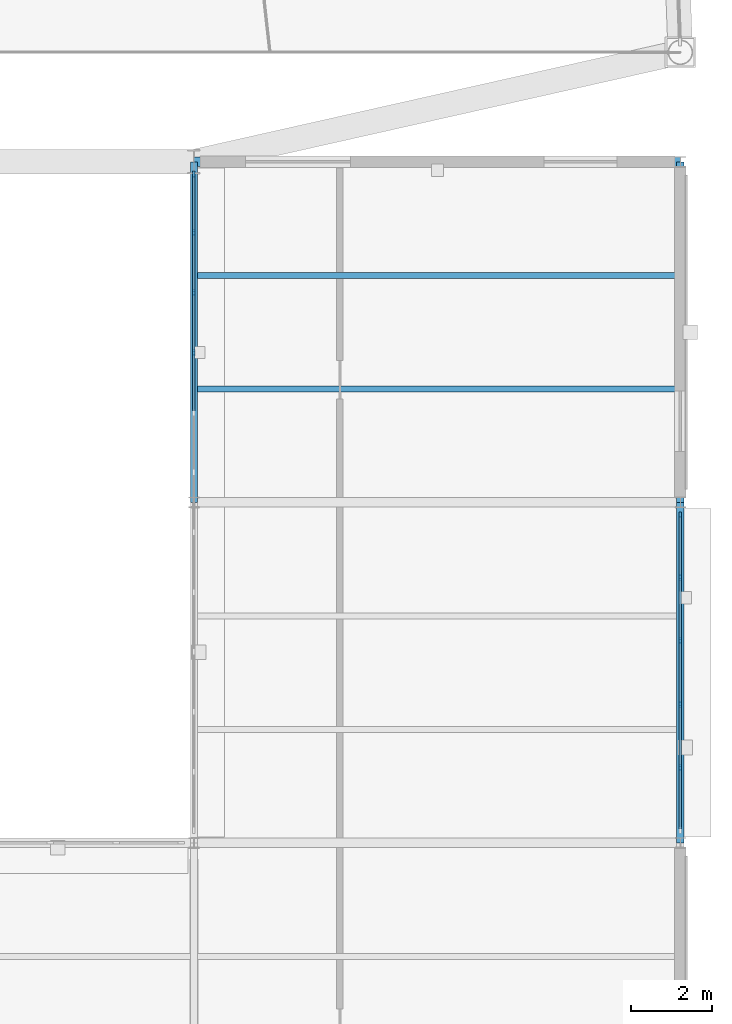
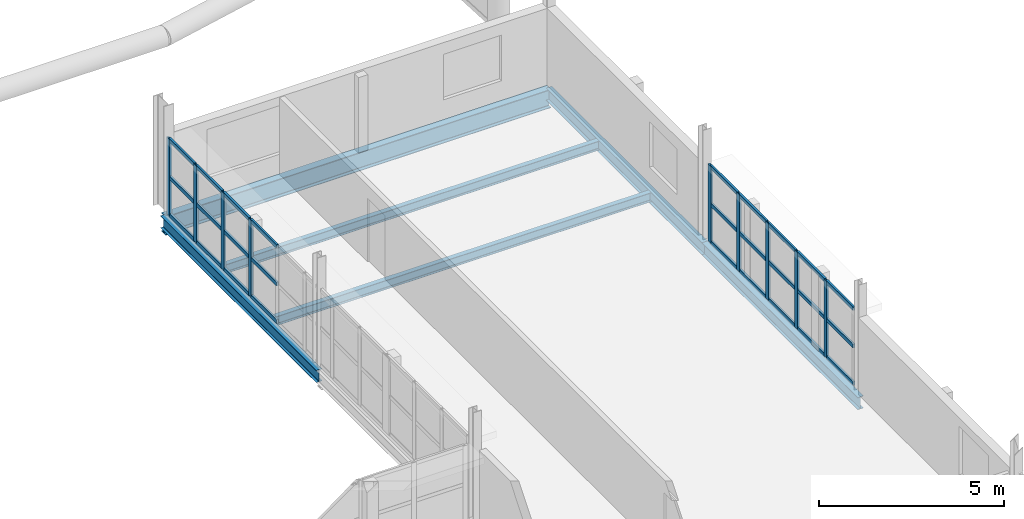
# One storey, part 54 of 101: 36 members, 6 beams, 2 elements without a shape of their own.
"""IFC4 building model written with IfcOpenShell, lengths in metres."""

from ifc_helpers import new_model, si_unit, direction, frame, origin, origin_2d, place, context, subcontext, project, spatial, rectangle, i_section, extrude, material, layer, layer_set, material_profile, profile_set, type_object, element, aggregate, save


model = new_model("IFC4")

# Units and contexts
model_context = context("Model", 3, precision=1e-05, world=origin(), true_north=direction((0.0, 1.0)))
body_context = subcontext(model_context, "Body", "Model", "MODEL_VIEW")
ifc_project = project(units=[si_unit("LENGTHUNIT", "METRE"), si_unit("AREAUNIT", "SQUARE_METRE"), si_unit("VOLUMEUNIT", "CUBIC_METRE"), si_unit("PLANEANGLEUNIT", "RADIAN"), si_unit("MASSUNIT", "GRAM", prefix="KILO"), si_unit("THERMODYNAMICTEMPERATUREUNIT", "KELVIN"), si_unit("POWERUNIT", "WATT")], contexts=[model_context])

# Site, building, storey
site_placement = place(None, origin())
site = spatial("IfcSite", under=ifc_project, at=site_placement, CompositionType="ELEMENT")
building_placement = place(site_placement, origin())
building = spatial("IfcBuilding", under=site, at=building_placement, Name="Tembeka Court Mobility Hub", CompositionType="ELEMENT")
storey_placement = place(building_placement, frame((0.0, 0.0, 5.39990234375)))
storey = spatial("IfcBuildingStorey", under=building, at=storey_placement, Name="L01", CompositionType="ELEMENT", Elevation=5.39990234375)

# Beams
ifc_material_1 = material(Name="Steel S355", Category="steel")
ifc_material_profile_1 = material_profile(ifc_material_1, i_section(OverallWidth=0.177978515625, OverallDepth=0.406005859375, WebThickness=0.0078125, FlangeThickness=0.0126953125, FilletRadius=0.01025390625, at=origin_2d()), Name="UKB 406x178x60")
ifc_profile_set_1 = profile_set([ifc_material_profile_1], Name="Steel S355")
beam_type_1 = type_object("IfcBeamType", Name="BM-B02", PredefinedType="BEAM", material=ifc_profile_set_1)
beam_1_placement = place(storey_placement, frame((164.39990234375, 55.199951171875, -0.392822265625), z_axis=(0.0, 1.0, 0.0), x_axis=(-1.0, 0.0, 0.0)))
element("IfcBeam", 1, at=beam_1_placement, inside=storey, type_object=beam_type_1, Name="Beam B02 (BM-L01-Y0904)", PredefinedType="BEAM", context=body_context, shape_type="SweptSolid", body=[
    extrude(i_section(OverallWidth=0.177978515625, OverallDepth=0.406005859375, WebThickness=0.0078125, FlangeThickness=0.0126953125, FilletRadius=0.01025390625, at=origin_2d()), origin(), (0.0, 0.0, 1.0), 8.400146484375),
])
beam_2_placement = place(storey_placement, frame((176.39990234375, 46.800048828125, -0.392822265625), z_axis=(0.0, 1.0, 0.0), x_axis=(-1.0, 0.0, 0.0)))
element("IfcBeam", 2, at=beam_2_placement, inside=storey, type_object=beam_type_1, Name="Beam B02 (BM-L01-Y0909)", PredefinedType="BEAM", context=body_context, shape_type="SweptSolid", body=[
    extrude(i_section(OverallWidth=0.177978515625, OverallDepth=0.406005859375, WebThickness=0.0078125, FlangeThickness=0.0126953125, FilletRadius=0.01025390625, at=origin_2d()), origin(), (0.0, 0.0, 1.0), 8.39990234375),
])
beam_3_placement = place(storey_placement, frame((176.39990234375, 55.199951171875, -0.392822265625), z_axis=(0.0, 1.0, 0.0), x_axis=(-1.0, 0.0, 0.0)))
element("IfcBeam", 3, at=beam_3_placement, inside=storey, type_object=beam_type_1, Name="Beam B02 (BM-L01-Y0910)", PredefinedType="BEAM", context=body_context, shape_type="SweptSolid", body=[
    extrude(i_section(OverallWidth=0.177978515625, OverallDepth=0.406005859375, WebThickness=0.0078125, FlangeThickness=0.0126953125, FilletRadius=0.01025390625, at=origin_2d()), origin(), (0.0, 0.0, 1.0), 8.400146484375),
])
ifc_material_profile_2 = material_profile(ifc_material_1, i_section(OverallWidth=0.22900390625, OverallDepth=0.612060546875, WebThickness=0.011962890625, FlangeThickness=0.01953125, FilletRadius=0.0126953125, at=origin_2d()), Name="UKB 610x229x125")
ifc_profile_set_2 = profile_set([ifc_material_profile_2], Name="Steel S355")
beam_type_2 = type_object("IfcBeamType", Name="BM-G02", PredefinedType="USERDEFINED", material=ifc_profile_set_2)
beam_4_placement = place(storey_placement, frame((164.39990234375, 63.60009765625, -0.495849609375), z_axis=(1.0, 0.0, 0.0), x_axis=(0.0, 1.0, 0.0)))
element("IfcBeam", 4, at=beam_4_placement, inside=storey, type_object=beam_type_2, Name="Beam G02 (BM-L01-X0704)", ObjectType="GIRDER", PredefinedType="USERDEFINED", context=body_context, shape_type="SweptSolid", body=[
    extrude(i_section(OverallWidth=0.22900390625, OverallDepth=0.612060546875, WebThickness=0.011962890625, FlangeThickness=0.01953125, FilletRadius=0.0126953125, at=origin_2d()), origin(), (0.0, 0.0, 1.0), 12.0),
])
ifc_material_profile_3 = material_profile(ifc_material_1, i_section(OverallWidth=0.14990234375, OverallDepth=0.300048828125, WebThickness=0.007080078125, FlangeThickness=0.0107421875, FilletRadius=0.014892578125, at=origin_2d()), Name="IPE 300")
ifc_profile_set_3 = profile_set([ifc_material_profile_3], Name="Steel S355")
beam_type_3 = type_object("IfcBeamType", Name="BM-J04", PredefinedType="JOIST", material=ifc_profile_set_3)
for number, where, z_axis, x_axis, name in (
    (5, (164.48388671875, 58.0, -0.33984375), (1.0, 0.0, 0.0), (0.0, 1.0, 0.0), "Beam J04 (JST-L01-1168)"),
    (6, (164.48388671875, 60.800048828125, -0.33984375), (1.0, 0.0, 0.0), (0.0, 1.0, 0.0), "Beam J04 (JST-L01-1169)"),
):
    element("IfcBeam", number, at=place(storey_placement, frame(where, z_axis=z_axis, x_axis=x_axis)), inside=storey, type_object=beam_type_3, Name=name, PredefinedType="JOIST", context=body_context, shape_type="SweptSolid", body=[
        extrude(i_section(OverallWidth=0.14990234375, OverallDepth=0.300048828125, WebThickness=0.007080078125, FlangeThickness=0.0107421875, FilletRadius=0.014892578125, at=origin_2d()), origin(), (0.0, 0.0, 1.0), 11.83203125),
    ])

# Curtain wall, members
ifc_material_2 = material(Name="Anodised aluminium 6063-T6", Category="aluminium")
ifc_layer_1 = layer(ifc_material_2, 0.159912109375)
ifc_layer_set_1 = layer_set([ifc_layer_1], Name="Anodised aluminium 6063-T6")
curtain_wall_type_1 = type_object("IfcCurtainWallType", Name="CW-SYS45", PredefinedType="USERDEFINED", material=ifc_layer_set_1)
curtain_wall_1_placement = place(storey_placement, origin())
curtain_wall_1 = element("IfcCurtainWall", 7, at=curtain_wall_1_placement, inside=storey, type_object=curtain_wall_type_1, Name="Unitised curtain wall CW45 (CW-L01-113)", ObjectType="UNITISED GLAZING", PredefinedType="USERDEFINED")
ifc_material_profile_4 = material_profile(ifc_material_2, rectangle(XDim=0.06494140625, YDim=0.159912109375, at=origin_2d()), Name="ALU-MUL 65x160")
ifc_profile_set_4 = profile_set([ifc_material_profile_4], Name="Anodised aluminium 6063-T6")
member_type_1 = type_object("IfcMemberType", Name="CW-MUL01", PredefinedType="MULLION", material=ifc_profile_set_4)
member_1_placement = place(storey_placement, frame((176.39990234375, 48.64794921875, 0.0), z_axis=(0.0, 0.0, 1.0), x_axis=(-1.0, 0.0, 0.0)))
member_1 = element("IfcMember", 8, at=member_1_placement, type_object=member_type_1, Name="CW45 mullion 2", PredefinedType="MULLION", context=body_context, shape_type="SweptSolid", body=[
    extrude(rectangle(XDim=0.06494140625, YDim=0.159912109375, at=origin_2d()), origin(), (0.0, 0.0, 1.0), 2.53515625),
])
member_2_placement = place(storey_placement, frame((176.39990234375, 50.216064453125, 0.0), z_axis=(0.0, 0.0, 1.0), x_axis=(-1.0, 0.0, 0.0)))
member_2 = element("IfcMember", 9, at=member_2_placement, type_object=member_type_1, Name="CW45 mullion 3", PredefinedType="MULLION", context=body_context, shape_type="SweptSolid", body=[
    extrude(rectangle(XDim=0.06494140625, YDim=0.159912109375, at=origin_2d()), origin(), (0.0, 0.0, 1.0), 2.53515625),
])
member_3_placement = place(storey_placement, frame((176.39990234375, 51.783935546875, 0.0), z_axis=(0.0, 0.0, 1.0), x_axis=(-1.0, 0.0, 0.0)))
member_3 = element("IfcMember", 10, at=member_3_placement, type_object=member_type_1, Name="CW45 mullion 4", PredefinedType="MULLION", context=body_context, shape_type="SweptSolid", body=[
    extrude(rectangle(XDim=0.06494140625, YDim=0.159912109375, at=origin_2d()), origin(), (0.0, 0.0, 1.0), 2.53515625),
])
member_4_placement = place(storey_placement, frame((176.39990234375, 53.35205078125, 0.0), z_axis=(0.0, 0.0, 1.0), x_axis=(-1.0, 0.0, 0.0)))
member_4 = element("IfcMember", 11, at=member_4_placement, type_object=member_type_1, Name="CW45 mullion 5", PredefinedType="MULLION", context=body_context, shape_type="SweptSolid", body=[
    extrude(rectangle(XDim=0.06494140625, YDim=0.159912109375, at=origin_2d()), origin(), (0.0, 0.0, 1.0), 2.53515625),
])
member_5_placement = place(storey_placement, frame((176.39990234375, 54.887451171875, 0.0), z_axis=(0.0, 0.0, 1.0), x_axis=(-1.0, 0.0, 0.0)))
member_5 = element("IfcMember", 12, at=member_5_placement, type_object=member_type_1, Name="CW45 mullion 6", PredefinedType="MULLION", context=body_context, shape_type="SweptSolid", body=[
    extrude(rectangle(XDim=0.06494140625, YDim=0.159912109375, at=origin_2d()), origin(), (0.0, 0.0, 1.0), 2.53515625),
])

ifc_layer_2 = layer(ifc_material_2, 0.159912109375)
ifc_layer_set_2 = layer_set([ifc_layer_2], Name="Anodised aluminium 6063-T6")
curtain_wall_type_2 = type_object("IfcCurtainWallType", Name="CW-SYS46", PredefinedType="USERDEFINED", material=ifc_layer_set_2)
curtain_wall_2_placement = place(storey_placement, origin())
curtain_wall_2 = element("IfcCurtainWall", 13, at=curtain_wall_2_placement, inside=storey, type_object=curtain_wall_type_2, Name="Unitised curtain wall CW46 (CW-L01-114)", ObjectType="UNITISED GLAZING", PredefinedType="USERDEFINED")
member_6_placement = place(storey_placement, frame((164.39990234375, 58.890869140625, 0.0), z_axis=(0.0, 0.0, 1.0), x_axis=(-1.0, 0.0, 0.0)))
member_6 = element("IfcMember", 14, at=member_6_placement, type_object=member_type_1, Name="CW46 mullion 9", PredefinedType="MULLION", context=body_context, shape_type="SweptSolid", body=[
    extrude(rectangle(XDim=0.06494140625, YDim=0.159912109375, at=origin_2d()), origin(), (0.0, 0.0, 1.0), 2.53515625),
])
member_7_placement = place(storey_placement, frame((164.39990234375, 60.3671875, 0.0), z_axis=(0.0, 0.0, 1.0), x_axis=(-1.0, 0.0, 0.0)))
member_7 = element("IfcMember", 15, at=member_7_placement, type_object=member_type_1, Name="CW46 mullion 10", PredefinedType="MULLION", context=body_context, shape_type="SweptSolid", body=[
    extrude(rectangle(XDim=0.06494140625, YDim=0.159912109375, at=origin_2d()), origin(), (0.0, 0.0, 1.0), 2.53515625),
])
member_8_placement = place(storey_placement, frame((164.39990234375, 61.84375, 0.0), z_axis=(0.0, 0.0, 1.0), x_axis=(-1.0, 0.0, 0.0)))
member_8 = element("IfcMember", 16, at=member_8_placement, type_object=member_type_1, Name="CW46 mullion 11", PredefinedType="MULLION", context=body_context, shape_type="SweptSolid", body=[
    extrude(rectangle(XDim=0.06494140625, YDim=0.159912109375, at=origin_2d()), origin(), (0.0, 0.0, 1.0), 2.53515625),
])
member_9_placement = place(storey_placement, frame((164.39990234375, 63.28759765625, 0.0), z_axis=(0.0, 0.0, 1.0), x_axis=(-1.0, 0.0, 0.0)))
member_9 = element("IfcMember", 17, at=member_9_placement, type_object=member_type_1, Name="CW46 mullion 12", PredefinedType="MULLION", context=body_context, shape_type="SweptSolid", body=[
    extrude(rectangle(XDim=0.06494140625, YDim=0.159912109375, at=origin_2d()), origin(), (0.0, 0.0, 1.0), 2.53515625),
])

# Member
ifc_material_profile_5 = material_profile(ifc_material_2, rectangle(XDim=0.06494140625, YDim=0.1201171875, at=origin_2d()), Name="ALU-TRN 65x120")
ifc_profile_set_5 = profile_set([ifc_material_profile_5], Name="Anodised aluminium 6063-T6")
member_type_2 = type_object("IfcMemberType", Name="CW-TRN01", PredefinedType="USERDEFINED", material=ifc_profile_set_5)
member_10_placement = place(storey_placement, frame((176.39990234375, 47.14501953125, 0.03271484375), z_axis=(0.0, 1.0, 0.0), x_axis=(-1.0, 0.0, 0.0)))
member_10 = element("IfcMember", 18, at=member_10_placement, type_object=member_type_2, Name="CW45 transom 1.1", ObjectType="TRANSOM", PredefinedType="USERDEFINED", context=body_context, shape_type="SweptSolid", body=[
    extrude(rectangle(XDim=0.06494140625, YDim=0.1201171875, at=origin_2d()), origin(), (0.0, 0.0, 1.0), 1.470458984375),
])

member_11_placement = place(storey_placement, frame((176.39990234375, 47.14501953125, 1.267578125), z_axis=(0.0, 1.0, 0.0), x_axis=(-1.0, 0.0, 0.0)))
member_11 = element("IfcMember", 19, at=member_11_placement, type_object=member_type_2, Name="CW45 transom 1.2", ObjectType="TRANSOM", PredefinedType="USERDEFINED", context=body_context, shape_type="SweptSolid", body=[
    extrude(rectangle(XDim=0.06494140625, YDim=0.1201171875, at=origin_2d()), origin(), (0.0, 0.0, 1.0), 1.470458984375),
])

member_12_placement = place(storey_placement, frame((176.39990234375, 47.14501953125, 2.502685546875), z_axis=(0.0, 1.0, 0.0), x_axis=(-1.0, 0.0, 0.0)))
member_12 = element("IfcMember", 20, at=member_12_placement, type_object=member_type_2, Name="CW45 transom 1.3", ObjectType="TRANSOM", PredefinedType="USERDEFINED", context=body_context, shape_type="SweptSolid", body=[
    extrude(rectangle(XDim=0.06494140625, YDim=0.1201171875, at=origin_2d()), origin(), (0.0, 0.0, 1.0), 1.470458984375),
])

member_13_placement = place(storey_placement, frame((176.39990234375, 48.680419921875, 0.03271484375), z_axis=(0.0, 1.0, 0.0), x_axis=(-1.0, 0.0, 0.0)))
member_13 = element("IfcMember", 21, at=member_13_placement, type_object=member_type_2, Name="CW45 transom 2.1", ObjectType="TRANSOM", PredefinedType="USERDEFINED", context=body_context, shape_type="SweptSolid", body=[
    extrude(rectangle(XDim=0.06494140625, YDim=0.1201171875, at=origin_2d()), origin(), (0.0, 0.0, 1.0), 1.503173828125),
])

member_14_placement = place(storey_placement, frame((176.39990234375, 48.680419921875, 1.267578125), z_axis=(0.0, 1.0, 0.0), x_axis=(-1.0, 0.0, 0.0)))
member_14 = element("IfcMember", 22, at=member_14_placement, type_object=member_type_2, Name="CW45 transom 2.2", ObjectType="TRANSOM", PredefinedType="USERDEFINED", context=body_context, shape_type="SweptSolid", body=[
    extrude(rectangle(XDim=0.06494140625, YDim=0.1201171875, at=origin_2d()), origin(), (0.0, 0.0, 1.0), 1.503173828125),
])

member_15_placement = place(storey_placement, frame((176.39990234375, 48.680419921875, 2.502685546875), z_axis=(0.0, 1.0, 0.0), x_axis=(-1.0, 0.0, 0.0)))
member_15 = element("IfcMember", 23, at=member_15_placement, type_object=member_type_2, Name="CW45 transom 2.3", ObjectType="TRANSOM", PredefinedType="USERDEFINED", context=body_context, shape_type="SweptSolid", body=[
    extrude(rectangle(XDim=0.06494140625, YDim=0.1201171875, at=origin_2d()), origin(), (0.0, 0.0, 1.0), 1.503173828125),
])

member_16_placement = place(storey_placement, frame((176.39990234375, 50.24853515625, 0.03271484375), z_axis=(0.0, 1.0, 0.0), x_axis=(-1.0, 0.0, 0.0)))
member_16 = element("IfcMember", 24, at=member_16_placement, type_object=member_type_2, Name="CW45 transom 3.1", ObjectType="TRANSOM", PredefinedType="USERDEFINED", context=body_context, shape_type="SweptSolid", body=[
    extrude(rectangle(XDim=0.06494140625, YDim=0.1201171875, at=origin_2d()), origin(), (0.0, 0.0, 1.0), 1.5029296875),
])

member_17_placement = place(storey_placement, frame((176.39990234375, 50.24853515625, 1.267578125), z_axis=(0.0, 1.0, 0.0), x_axis=(-1.0, 0.0, 0.0)))
member_17 = element("IfcMember", 25, at=member_17_placement, type_object=member_type_2, Name="CW45 transom 3.2", ObjectType="TRANSOM", PredefinedType="USERDEFINED", context=body_context, shape_type="SweptSolid", body=[
    extrude(rectangle(XDim=0.06494140625, YDim=0.1201171875, at=origin_2d()), origin(), (0.0, 0.0, 1.0), 1.5029296875),
])

member_18_placement = place(storey_placement, frame((176.39990234375, 50.24853515625, 2.502685546875), z_axis=(0.0, 1.0, 0.0), x_axis=(-1.0, 0.0, 0.0)))
member_18 = element("IfcMember", 26, at=member_18_placement, type_object=member_type_2, Name="CW45 transom 3.3", ObjectType="TRANSOM", PredefinedType="USERDEFINED", context=body_context, shape_type="SweptSolid", body=[
    extrude(rectangle(XDim=0.06494140625, YDim=0.1201171875, at=origin_2d()), origin(), (0.0, 0.0, 1.0), 1.5029296875),
])

member_19_placement = place(storey_placement, frame((176.39990234375, 51.81640625, 0.03271484375), z_axis=(0.0, 1.0, 0.0), x_axis=(-1.0, 0.0, 0.0)))
member_19 = element("IfcMember", 27, at=member_19_placement, type_object=member_type_2, Name="CW45 transom 4.1", ObjectType="TRANSOM", PredefinedType="USERDEFINED", context=body_context, shape_type="SweptSolid", body=[
    extrude(rectangle(XDim=0.06494140625, YDim=0.1201171875, at=origin_2d()), origin(), (0.0, 0.0, 1.0), 1.503173828125),
])

member_20_placement = place(storey_placement, frame((176.39990234375, 51.81640625, 1.267578125), z_axis=(0.0, 1.0, 0.0), x_axis=(-1.0, 0.0, 0.0)))
member_20 = element("IfcMember", 28, at=member_20_placement, type_object=member_type_2, Name="CW45 transom 4.2", ObjectType="TRANSOM", PredefinedType="USERDEFINED", context=body_context, shape_type="SweptSolid", body=[
    extrude(rectangle(XDim=0.06494140625, YDim=0.1201171875, at=origin_2d()), origin(), (0.0, 0.0, 1.0), 1.503173828125),
])

member_21_placement = place(storey_placement, frame((176.39990234375, 51.81640625, 2.502685546875), z_axis=(0.0, 1.0, 0.0), x_axis=(-1.0, 0.0, 0.0)))
member_21 = element("IfcMember", 29, at=member_21_placement, type_object=member_type_2, Name="CW45 transom 4.3", ObjectType="TRANSOM", PredefinedType="USERDEFINED", context=body_context, shape_type="SweptSolid", body=[
    extrude(rectangle(XDim=0.06494140625, YDim=0.1201171875, at=origin_2d()), origin(), (0.0, 0.0, 1.0), 1.503173828125),
])

member_22_placement = place(storey_placement, frame((176.39990234375, 53.384521484375, 0.03271484375), z_axis=(0.0, 1.0, 0.0), x_axis=(-1.0, 0.0, 0.0)))
member_22 = element("IfcMember", 30, at=member_22_placement, type_object=member_type_2, Name="CW45 transom 5.1", ObjectType="TRANSOM", PredefinedType="USERDEFINED", context=body_context, shape_type="SweptSolid", body=[
    extrude(rectangle(XDim=0.06494140625, YDim=0.1201171875, at=origin_2d()), origin(), (0.0, 0.0, 1.0), 1.470458984375),
])

member_23_placement = place(storey_placement, frame((176.39990234375, 53.384521484375, 1.267578125), z_axis=(0.0, 1.0, 0.0), x_axis=(-1.0, 0.0, 0.0)))
member_23 = element("IfcMember", 31, at=member_23_placement, type_object=member_type_2, Name="CW45 transom 5.2", ObjectType="TRANSOM", PredefinedType="USERDEFINED", context=body_context, shape_type="SweptSolid", body=[
    extrude(rectangle(XDim=0.06494140625, YDim=0.1201171875, at=origin_2d()), origin(), (0.0, 0.0, 1.0), 1.470458984375),
])

member_24_placement = place(storey_placement, frame((176.39990234375, 53.384521484375, 2.502685546875), z_axis=(0.0, 1.0, 0.0), x_axis=(-1.0, 0.0, 0.0)))
member_24 = element("IfcMember", 32, at=member_24_placement, type_object=member_type_2, Name="CW45 transom 5.3", ObjectType="TRANSOM", PredefinedType="USERDEFINED", context=body_context, shape_type="SweptSolid", body=[
    extrude(rectangle(XDim=0.06494140625, YDim=0.1201171875, at=origin_2d()), origin(), (0.0, 0.0, 1.0), 1.470458984375),
])

aggregate(curtain_wall_1, [member_1, member_2, member_3, member_4, member_5, member_10, member_11, member_12, member_13, member_14, member_15, member_16, member_17, member_18, member_19, member_20, member_21, member_22, member_23, member_24])

member_25_placement = place(storey_placement, frame((164.39990234375, 57.447021484375, 0.03271484375), z_axis=(0.0, 1.0, 0.0), x_axis=(-1.0, 0.0, 0.0)))
member_25 = element("IfcMember", 33, at=member_25_placement, type_object=member_type_2, Name="CW46 transom 8.1", ObjectType="TRANSOM", PredefinedType="USERDEFINED", context=body_context, shape_type="SweptSolid", body=[
    extrude(rectangle(XDim=0.06494140625, YDim=0.1201171875, at=origin_2d()), origin(), (0.0, 0.0, 1.0), 1.411376953125),
])

member_26_placement = place(storey_placement, frame((164.39990234375, 57.447021484375, 1.267578125), z_axis=(0.0, 1.0, 0.0), x_axis=(-1.0, 0.0, 0.0)))
member_26 = element("IfcMember", 34, at=member_26_placement, type_object=member_type_2, Name="CW46 transom 8.2", ObjectType="TRANSOM", PredefinedType="USERDEFINED", context=body_context, shape_type="SweptSolid", body=[
    extrude(rectangle(XDim=0.06494140625, YDim=0.1201171875, at=origin_2d()), origin(), (0.0, 0.0, 1.0), 1.411376953125),
])

member_27_placement = place(storey_placement, frame((164.39990234375, 57.447021484375, 2.502685546875), z_axis=(0.0, 1.0, 0.0), x_axis=(-1.0, 0.0, 0.0)))
member_27 = element("IfcMember", 35, at=member_27_placement, type_object=member_type_2, Name="CW46 transom 8.3", ObjectType="TRANSOM", PredefinedType="USERDEFINED", context=body_context, shape_type="SweptSolid", body=[
    extrude(rectangle(XDim=0.06494140625, YDim=0.1201171875, at=origin_2d()), origin(), (0.0, 0.0, 1.0), 1.411376953125),
])

member_28_placement = place(storey_placement, frame((164.39990234375, 58.92333984375, 0.03271484375), z_axis=(0.0, 1.0, 0.0), x_axis=(-1.0, 0.0, 0.0)))
member_28 = element("IfcMember", 36, at=member_28_placement, type_object=member_type_2, Name="CW46 transom 9.1", ObjectType="TRANSOM", PredefinedType="USERDEFINED", context=body_context, shape_type="SweptSolid", body=[
    extrude(rectangle(XDim=0.06494140625, YDim=0.1201171875, at=origin_2d()), origin(), (0.0, 0.0, 1.0), 1.411376953125),
])

member_29_placement = place(storey_placement, frame((164.39990234375, 58.92333984375, 1.267578125), z_axis=(0.0, 1.0, 0.0), x_axis=(-1.0, 0.0, 0.0)))
member_29 = element("IfcMember", 37, at=member_29_placement, type_object=member_type_2, Name="CW46 transom 9.2", ObjectType="TRANSOM", PredefinedType="USERDEFINED", context=body_context, shape_type="SweptSolid", body=[
    extrude(rectangle(XDim=0.06494140625, YDim=0.1201171875, at=origin_2d()), origin(), (0.0, 0.0, 1.0), 1.411376953125),
])

member_30_placement = place(storey_placement, frame((164.39990234375, 58.92333984375, 2.502685546875), z_axis=(0.0, 1.0, 0.0), x_axis=(-1.0, 0.0, 0.0)))
member_30 = element("IfcMember", 38, at=member_30_placement, type_object=member_type_2, Name="CW46 transom 9.3", ObjectType="TRANSOM", PredefinedType="USERDEFINED", context=body_context, shape_type="SweptSolid", body=[
    extrude(rectangle(XDim=0.06494140625, YDim=0.1201171875, at=origin_2d()), origin(), (0.0, 0.0, 1.0), 1.411376953125),
])

member_31_placement = place(storey_placement, frame((164.39990234375, 60.399658203125, 0.03271484375), z_axis=(0.0, 1.0, 0.0), x_axis=(-1.0, 0.0, 0.0)))
member_31 = element("IfcMember", 39, at=member_31_placement, type_object=member_type_2, Name="CW46 transom 10.1", ObjectType="TRANSOM", PredefinedType="USERDEFINED", context=body_context, shape_type="SweptSolid", body=[
    extrude(rectangle(XDim=0.06494140625, YDim=0.1201171875, at=origin_2d()), origin(), (0.0, 0.0, 1.0), 1.411376953125),
])

member_32_placement = place(storey_placement, frame((164.39990234375, 60.399658203125, 1.267578125), z_axis=(0.0, 1.0, 0.0), x_axis=(-1.0, 0.0, 0.0)))
member_32 = element("IfcMember", 40, at=member_32_placement, type_object=member_type_2, Name="CW46 transom 10.2", ObjectType="TRANSOM", PredefinedType="USERDEFINED", context=body_context, shape_type="SweptSolid", body=[
    extrude(rectangle(XDim=0.06494140625, YDim=0.1201171875, at=origin_2d()), origin(), (0.0, 0.0, 1.0), 1.411376953125),
])

member_33_placement = place(storey_placement, frame((164.39990234375, 60.399658203125, 2.502685546875), z_axis=(0.0, 1.0, 0.0), x_axis=(-1.0, 0.0, 0.0)))
member_33 = element("IfcMember", 41, at=member_33_placement, type_object=member_type_2, Name="CW46 transom 10.3", ObjectType="TRANSOM", PredefinedType="USERDEFINED", context=body_context, shape_type="SweptSolid", body=[
    extrude(rectangle(XDim=0.06494140625, YDim=0.1201171875, at=origin_2d()), origin(), (0.0, 0.0, 1.0), 1.411376953125),
])

member_34_placement = place(storey_placement, frame((164.39990234375, 61.876220703125, 0.03271484375), z_axis=(0.0, 1.0, 0.0), x_axis=(-1.0, 0.0, 0.0)))
member_34 = element("IfcMember", 42, at=member_34_placement, type_object=member_type_2, Name="CW46 transom 11.1", ObjectType="TRANSOM", PredefinedType="USERDEFINED", context=body_context, shape_type="SweptSolid", body=[
    extrude(rectangle(XDim=0.06494140625, YDim=0.1201171875, at=origin_2d()), origin(), (0.0, 0.0, 1.0), 1.378662109375),
])

member_35_placement = place(storey_placement, frame((164.39990234375, 61.876220703125, 1.267578125), z_axis=(0.0, 1.0, 0.0), x_axis=(-1.0, 0.0, 0.0)))
member_35 = element("IfcMember", 43, at=member_35_placement, type_object=member_type_2, Name="CW46 transom 11.2", ObjectType="TRANSOM", PredefinedType="USERDEFINED", context=body_context, shape_type="SweptSolid", body=[
    extrude(rectangle(XDim=0.06494140625, YDim=0.1201171875, at=origin_2d()), origin(), (0.0, 0.0, 1.0), 1.378662109375),
])

member_36_placement = place(storey_placement, frame((164.39990234375, 61.876220703125, 2.502685546875), z_axis=(0.0, 1.0, 0.0), x_axis=(-1.0, 0.0, 0.0)))
member_36 = element("IfcMember", 44, at=member_36_placement, type_object=member_type_2, Name="CW46 transom 11.3", ObjectType="TRANSOM", PredefinedType="USERDEFINED", context=body_context, shape_type="SweptSolid", body=[
    extrude(rectangle(XDim=0.06494140625, YDim=0.1201171875, at=origin_2d()), origin(), (0.0, 0.0, 1.0), 1.378662109375),
])

aggregate(curtain_wall_2, [member_6, member_7, member_8, member_9, member_25, member_26, member_27, member_28, member_29, member_30, member_31, member_32, member_33, member_34, member_35, member_36])

save(model, "model.ifc")
